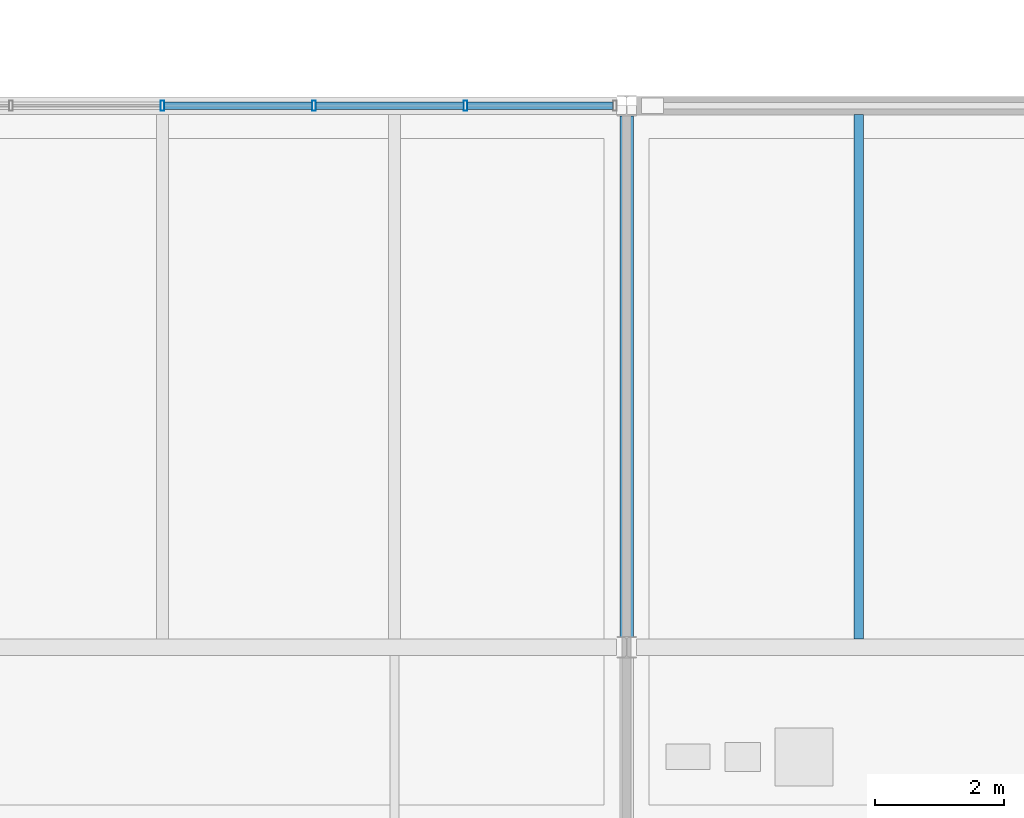
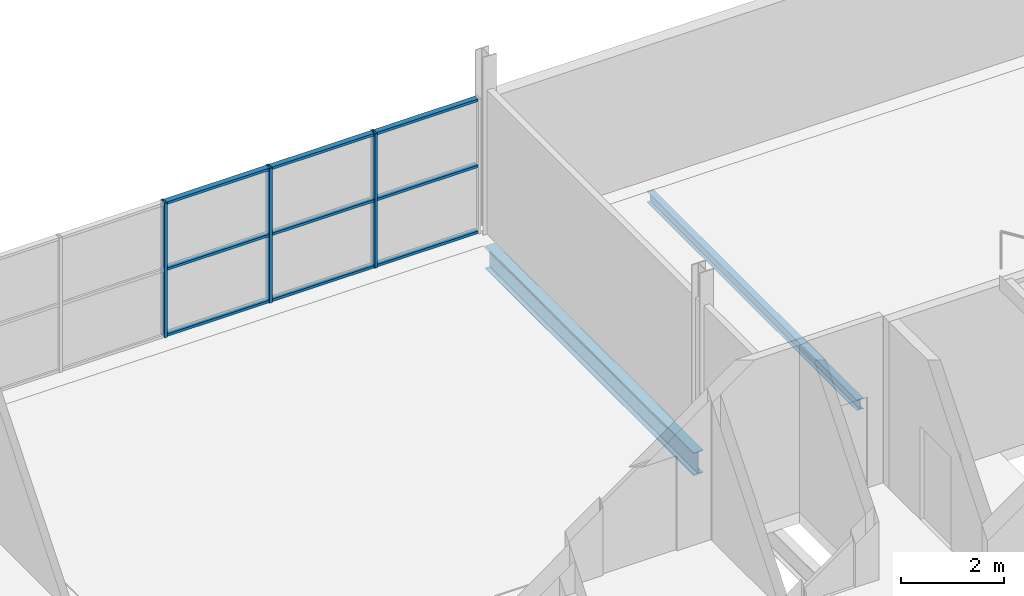
# One storey, part 63 of 93: 12 members, 2 beams, 1 element without a shape of its own.
"""IFC4 building model written with IfcOpenShell, lengths in metres."""

from ifc_helpers import new_model, si_unit, direction, frame, origin, origin_2d, place, context, subcontext, project, spatial, hollow_rectangle, i_section, extrude, material, material_profile, profile_set, type_object, element, aggregate, save


model = new_model("IFC4")

# Units and contexts
model_context = context("Model", 3, precision=1e-05, world=origin(), true_north=direction((0.0, 1.0)))
body_context = subcontext(model_context, "Body", "Model", "MODEL_VIEW")
ifc_project = project(units=[si_unit("LENGTHUNIT", "METRE"), si_unit("AREAUNIT", "SQUARE_METRE"), si_unit("VOLUMEUNIT", "CUBIC_METRE"), si_unit("PLANEANGLEUNIT", "RADIAN"), si_unit("MASSUNIT", "GRAM", prefix="KILO"), si_unit("THERMODYNAMICTEMPERATUREUNIT", "KELVIN")], contexts=[model_context])

# Site, building, storey
site_placement = place(None, origin())
site = spatial("IfcSite", under=ifc_project, at=site_placement, CompositionType="ELEMENT")
building_placement = place(site_placement, origin())
building = spatial("IfcBuilding", under=site, at=building_placement, Name="Nduvali Passage Aquatics Centre", CompositionType="ELEMENT")
storey_placement = place(building_placement, frame((0.0, 0.0, 9.0)))
storey = spatial("IfcBuildingStorey", under=building, at=storey_placement, Name="L02", CompositionType="ELEMENT", Elevation=9.0)

# Curtain wall, members
ifc_material_1 = material(Name="Aluminium EN AW-6063 T6", Category="aluminium")
curtain_wall_type = type_object("IfcCurtainWallType", Name="ENV-CW-WELL", PredefinedType="NOTDEFINED", material=ifc_material_1)
curtain_wall_placement = place(storey_placement, origin())
curtain_wall = element("IfcCurtainWall", 1, at=curtain_wall_placement, inside=storey, type_object=curtain_wall_type, Name="L02 North Avenue Clinic CW 113", PredefinedType="NOTDEFINED")
ifc_material_profile_1 = material_profile(ifc_material_1, hollow_rectangle(XDim=0.06005859375, YDim=0.159912109375, WallThickness=0.00390625, at=origin_2d()), Name="ALU MULLION 60x160x4")
ifc_profile_set_1 = profile_set([ifc_material_profile_1], Name="Aluminium EN AW-6063 T6")
member_type_1 = type_object("IfcMemberType", Name="ENV-MEM-MUL60", PredefinedType="MULLION", material=ifc_profile_set_1)
member_1_placement = place(storey_placement, frame((104.39990234375, 117.60009765625, 0.0), z_axis=(0.0, 0.0, 1.0), x_axis=(1.0, 0.0, 0.0)))
member_1 = element("IfcMember", 2, at=member_1_placement, type_object=member_type_1, Name="North Avenue Clinic CW Mullion 4", PredefinedType="MULLION", context=body_context, shape_type="SweptSolid", body=[
    extrude(hollow_rectangle(XDim=0.06005859375, YDim=0.159912109375, WallThickness=0.00390625, at=origin_2d()), origin(), (0.0, 0.0, 1.0), 3.183837890625),
])
member_2_placement = place(storey_placement, frame((106.75, 117.60009765625, 0.0), z_axis=(0.0, 0.0, 1.0), x_axis=(1.0, 0.0, 0.0)))
member_2 = element("IfcMember", 3, at=member_2_placement, type_object=member_type_1, Name="North Avenue Clinic CW Mullion 5", PredefinedType="MULLION", context=body_context, shape_type="SweptSolid", body=[
    extrude(hollow_rectangle(XDim=0.06005859375, YDim=0.159912109375, WallThickness=0.00390625, at=origin_2d()), origin(), (0.0, 0.0, 1.0), 3.183837890625),
])
member_3_placement = place(storey_placement, frame((109.10009765625, 117.60009765625, 0.0), z_axis=(0.0, 0.0, 1.0), x_axis=(1.0, 0.0, 0.0)))
member_3 = element("IfcMember", 4, at=member_3_placement, type_object=member_type_1, Name="North Avenue Clinic CW Mullion 6", PredefinedType="MULLION", context=body_context, shape_type="SweptSolid", body=[
    extrude(hollow_rectangle(XDim=0.06005859375, YDim=0.159912109375, WallThickness=0.00390625, at=origin_2d()), origin(), (0.0, 0.0, 1.0), 3.183837890625),
])
ifc_material_profile_2 = material_profile(ifc_material_1, hollow_rectangle(XDim=0.1201171875, YDim=0.06005859375, WallThickness=0.00390625, at=origin_2d()), Name="ALU TRANSOM 120x60x4")
ifc_profile_set_2 = profile_set([ifc_material_profile_2], Name="Aluminium EN AW-6063 T6")
member_type_2 = type_object("IfcMemberType", Name="ENV-MEM-TRN60", PredefinedType="USERDEFINED", material=ifc_profile_set_2)
member_4_placement = place(storey_placement, frame((104.429931640625, 117.60009765625, 0.030029296875), z_axis=(1.0, 0.0, 0.0), x_axis=(0.0, 1.0, 0.0)))
member_4 = element("IfcMember", 5, at=member_4_placement, type_object=member_type_2, Name="North Avenue Clinic CW Transom B4-R0", ObjectType="TRANSOM", PredefinedType="USERDEFINED", context=body_context, shape_type="SweptSolid", body=[
    extrude(hollow_rectangle(XDim=0.1201171875, YDim=0.06005859375, WallThickness=0.00390625, at=origin_2d()), origin(), (0.0, 0.0, 1.0), 2.2900390625),
])
member_5_placement = place(storey_placement, frame((104.429931640625, 117.60009765625, 1.591796875), z_axis=(1.0, 0.0, 0.0), x_axis=(0.0, 1.0, 0.0)))
member_5 = element("IfcMember", 6, at=member_5_placement, type_object=member_type_2, Name="North Avenue Clinic CW Transom B4-R1", ObjectType="TRANSOM", PredefinedType="USERDEFINED", context=body_context, shape_type="SweptSolid", body=[
    extrude(hollow_rectangle(XDim=0.1201171875, YDim=0.06005859375, WallThickness=0.00390625, at=origin_2d()), origin(), (0.0, 0.0, 1.0), 2.2900390625),
])
member_6_placement = place(storey_placement, frame((104.429931640625, 117.60009765625, 3.15380859375), z_axis=(1.0, 0.0, 0.0), x_axis=(0.0, 1.0, 0.0)))
member_6 = element("IfcMember", 7, at=member_6_placement, type_object=member_type_2, Name="North Avenue Clinic CW Transom B4-R2", ObjectType="TRANSOM", PredefinedType="USERDEFINED", context=body_context, shape_type="SweptSolid", body=[
    extrude(hollow_rectangle(XDim=0.1201171875, YDim=0.06005859375, WallThickness=0.00390625, at=origin_2d()), origin(), (0.0, 0.0, 1.0), 2.2900390625),
])
member_7_placement = place(storey_placement, frame((106.780029296875, 117.60009765625, 0.030029296875), z_axis=(1.0, 0.0, 0.0), x_axis=(0.0, 1.0, 0.0)))
member_7 = element("IfcMember", 8, at=member_7_placement, type_object=member_type_2, Name="North Avenue Clinic CW Transom B5-R0", ObjectType="TRANSOM", PredefinedType="USERDEFINED", context=body_context, shape_type="SweptSolid", body=[
    extrude(hollow_rectangle(XDim=0.1201171875, YDim=0.06005859375, WallThickness=0.00390625, at=origin_2d()), origin(), (0.0, 0.0, 1.0), 2.2900390625),
])
member_8_placement = place(storey_placement, frame((106.780029296875, 117.60009765625, 1.591796875), z_axis=(1.0, 0.0, 0.0), x_axis=(0.0, 1.0, 0.0)))
member_8 = element("IfcMember", 9, at=member_8_placement, type_object=member_type_2, Name="North Avenue Clinic CW Transom B5-R1", ObjectType="TRANSOM", PredefinedType="USERDEFINED", context=body_context, shape_type="SweptSolid", body=[
    extrude(hollow_rectangle(XDim=0.1201171875, YDim=0.06005859375, WallThickness=0.00390625, at=origin_2d()), origin(), (0.0, 0.0, 1.0), 2.2900390625),
])
member_9_placement = place(storey_placement, frame((106.780029296875, 117.60009765625, 3.15380859375), z_axis=(1.0, 0.0, 0.0), x_axis=(0.0, 1.0, 0.0)))
member_9 = element("IfcMember", 10, at=member_9_placement, type_object=member_type_2, Name="North Avenue Clinic CW Transom B5-R2", ObjectType="TRANSOM", PredefinedType="USERDEFINED", context=body_context, shape_type="SweptSolid", body=[
    extrude(hollow_rectangle(XDim=0.1201171875, YDim=0.06005859375, WallThickness=0.00390625, at=origin_2d()), origin(), (0.0, 0.0, 1.0), 2.2900390625),
])
member_10_placement = place(storey_placement, frame((109.1298828125, 117.60009765625, 0.030029296875), z_axis=(1.0, 0.0, 0.0), x_axis=(0.0, 1.0, 0.0)))
member_10 = element("IfcMember", 11, at=member_10_placement, type_object=member_type_2, Name="North Avenue Clinic CW Transom B6-R0", ObjectType="TRANSOM", PredefinedType="USERDEFINED", context=body_context, shape_type="SweptSolid", body=[
    extrude(hollow_rectangle(XDim=0.1201171875, YDim=0.06005859375, WallThickness=0.00390625, at=origin_2d()), origin(), (0.0, 0.0, 1.0), 2.260009765625),
])
member_11_placement = place(storey_placement, frame((109.1298828125, 117.60009765625, 1.591796875), z_axis=(1.0, 0.0, 0.0), x_axis=(0.0, 1.0, 0.0)))
member_11 = element("IfcMember", 12, at=member_11_placement, type_object=member_type_2, Name="North Avenue Clinic CW Transom B6-R1", ObjectType="TRANSOM", PredefinedType="USERDEFINED", context=body_context, shape_type="SweptSolid", body=[
    extrude(hollow_rectangle(XDim=0.1201171875, YDim=0.06005859375, WallThickness=0.00390625, at=origin_2d()), origin(), (0.0, 0.0, 1.0), 2.260009765625),
])
member_12_placement = place(storey_placement, frame((109.1298828125, 117.60009765625, 3.15380859375), z_axis=(1.0, 0.0, 0.0), x_axis=(0.0, 1.0, 0.0)))
member_12 = element("IfcMember", 13, at=member_12_placement, type_object=member_type_2, Name="North Avenue Clinic CW Transom B6-R2", ObjectType="TRANSOM", PredefinedType="USERDEFINED", context=body_context, shape_type="SweptSolid", body=[
    extrude(hollow_rectangle(XDim=0.1201171875, YDim=0.06005859375, WallThickness=0.00390625, at=origin_2d()), origin(), (0.0, 0.0, 1.0), 2.260009765625),
])
aggregate(curtain_wall, [member_1, member_2, member_3, member_4, member_5, member_6, member_7, member_8, member_9, member_10, member_11, member_12])

# Beams
ifc_material_2 = material(Name="Steel S355", Category="steel")
ifc_material_profile_3 = material_profile(ifc_material_2, i_section(OverallWidth=0.210693359375, OverallDepth=0.53955078125, WebThickness=0.01171875, FlangeThickness=0.018798828125, FilletRadius=0.0126953125, at=origin_2d()), Name="UKB 533x210x109")
ifc_profile_set_3 = profile_set([ifc_material_profile_3], Name="Steel S355")
beam_type_1 = type_object("IfcBeamType", Name="STR-BM-UKB533", PredefinedType="BEAM", material=ifc_profile_set_3)
beam_1_placement = place(storey_placement, frame((111.60009765625, 109.3603515625, -0.53369140625), z_axis=(0.0, 1.0, 0.0), x_axis=(-1.0, 0.0, 0.0)))
element("IfcBeam", 14, at=beam_1_placement, inside=storey, type_object=beam_type_1, Name="L02 Primary Y-Girder B6-1006", PredefinedType="BEAM", context=body_context, shape_type="SweptSolid", body=[
    extrude(i_section(OverallWidth=0.210693359375, OverallDepth=0.53955078125, WebThickness=0.01171875, FlangeThickness=0.018798828125, FilletRadius=0.0126953125, at=origin_2d()), origin(), (0.0, 0.0, 1.0), 8.079345703125),
])
ifc_material_profile_4 = material_profile(ifc_material_2, i_section(OverallWidth=0.146484375, OverallDepth=0.256103515625, WebThickness=0.00634765625, FlangeThickness=0.010986328125, FilletRadius=0.007568359375, at=origin_2d()), Name="UKB 254x146x37")
ifc_profile_set_4 = profile_set([ifc_material_profile_4], Name="Steel S355")
beam_type_2 = type_object("IfcBeamType", Name="STR-JST-UKB254", PredefinedType="JOIST", material=ifc_profile_set_4)
beam_2_placement = place(storey_placement, frame((115.199951171875, 109.326904296875, -0.39208984375), z_axis=(0.0, 1.0, 0.0), x_axis=(-1.0, 0.0, 0.0)))
element("IfcBeam", 15, at=beam_2_placement, inside=storey, type_object=beam_type_2, Name="L02 Secondary Joist J4-1198", PredefinedType="JOIST", context=body_context, shape_type="SweptSolid", body=[
    extrude(i_section(OverallWidth=0.146484375, OverallDepth=0.256103515625, WebThickness=0.00634765625, FlangeThickness=0.010986328125, FilletRadius=0.007568359375, at=origin_2d()), origin(), (0.0, 0.0, 1.0), 8.139892578125),
])

save(model, "model.ifc")
